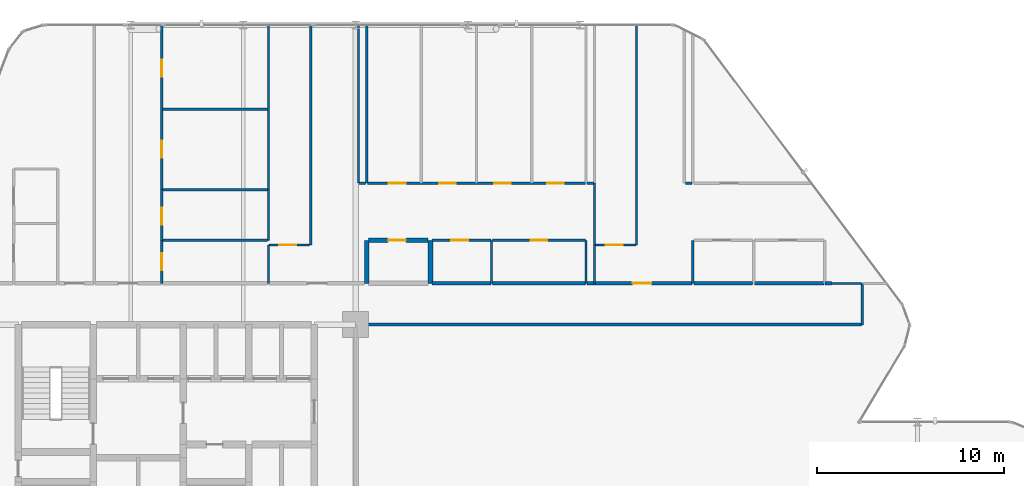
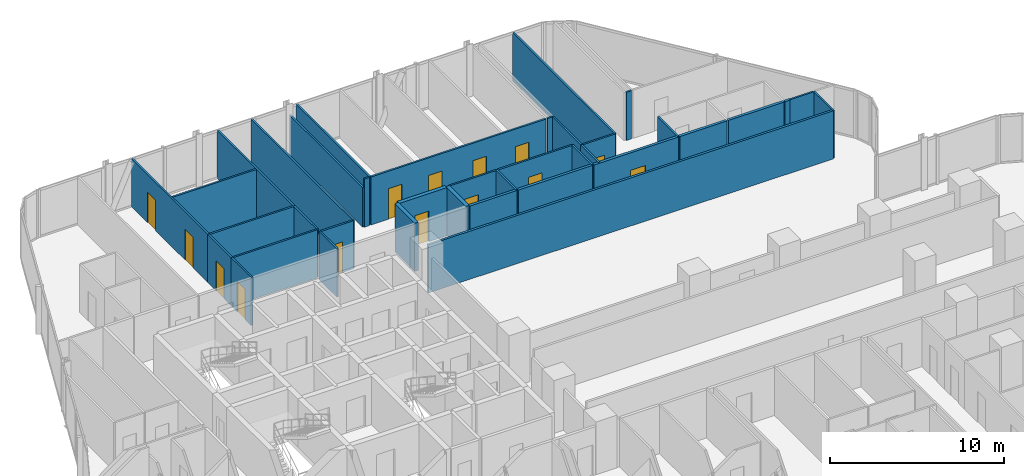
# One storey, part 31 of 34: 38 walls, 14 doors, 14 openings.
"""IFC4 building model written with IfcOpenShell, lengths in metres."""

from ifc_helpers import new_model, si_unit, direction, frame, frame_2d, origin, place, context, subcontext, project, spatial, rectangle, extrude, material, layer, layer_set, type_object, element, fill, save


model = new_model("IFC4")

# Units and contexts
model_context = context("Model", 3, precision=1e-05, world=origin(), true_north=direction((0.0, 1.0)))
body_context = subcontext(model_context, "Body", "Model", "MODEL_VIEW")
ifc_project = project(units=[si_unit("LENGTHUNIT", "METRE"), si_unit("AREAUNIT", "SQUARE_METRE"), si_unit("VOLUMEUNIT", "CUBIC_METRE"), si_unit("PLANEANGLEUNIT", "RADIAN"), si_unit("MASSUNIT", "GRAM", prefix="KILO")], contexts=[model_context])

# Site, building, storey
site_placement = place(None, origin())
site = spatial("IfcSite", under=ifc_project, at=site_placement, CompositionType="ELEMENT")
building_placement = place(site_placement, origin())
building = spatial("IfcBuilding", under=site, at=building_placement, Name="Keshet Zoharim Tower", CompositionType="ELEMENT")
storey_placement = place(building_placement, frame((0.0, 0.0, 31.39990234375)))
storey = spatial("IfcBuildingStorey", under=building, at=storey_placement, Name="L06", CompositionType="ELEMENT", Elevation=31.39990234375)

# Walls
ifc_material_1 = material(Name="Gypsum Plasterboard", Category="gypsum")
ifc_layer_1 = layer(ifc_material_1, 0.14990234375)
ifc_layer_set_1 = layer_set([ifc_layer_1], Name="Gypsum Plasterboard")
wall_type_1 = type_object("IfcWallType", Name="WL-CLIN-150", PredefinedType="STANDARD", material=ifc_layer_set_1)
wall_1_placement = place(storey_placement, frame((33.070068359375, 37.89990234375, 0.0), z_axis=(0.0, 0.0, 1.0), x_axis=(1.0, 0.0, 0.0)))
element("IfcWall", 1, at=wall_1_placement, inside=storey, type_object=wall_type_1, Name="L06 Interior Wall 200", PredefinedType="STANDARD", context=body_context, shape_type="SweptSolid", body=[
    extrude(rectangle(XDim=26.934814453125, YDim=0.14990234375, at=frame_2d((13.46728515625, 0.0))), origin(), (0.0, 0.0, 1.0), 3.385009765625),
])
ifc_layer_2 = layer(ifc_material_1, 0.179931640625)
ifc_layer_set_2 = layer_set([ifc_layer_2], Name="Gypsum Plasterboard")
wall_type_2 = type_object("IfcWallType", Name="WL-CORR-180", PredefinedType="STANDARD", material=ifc_layer_set_2)
wall_2_placement = place(storey_placement, frame((37.092041015625, 40.10009765625, 0.0), z_axis=(0.0, 0.0, 1.0), x_axis=(1.0, 0.0, 0.0)))
element("IfcWall", 2, at=wall_2_placement, inside=storey, type_object=wall_type_2, Name="L06 Interior Wall 210", PredefinedType="STANDARD", context=body_context, shape_type="SweptSolid", body=[
    extrude(rectangle(XDim=3.12890625, YDim=0.179931640625, at=frame_2d((1.564453125, 0.0))), origin(), (0.0, 0.0, 1.0), 3.385009765625),
])
wall_3_placement = place(storey_placement, frame((40.31103515625, 40.10009765625, 0.0), z_axis=(0.0, 0.0, 1.0), x_axis=(1.0, 0.0, 0.0)))
element("IfcWall", 3, at=wall_3_placement, inside=storey, type_object=wall_type_2, Name="L06 Interior Wall 211", PredefinedType="STANDARD", context=body_context, shape_type="SweptSolid", body=[
    extrude(rectangle(XDim=4.953857421875, YDim=0.179931640625, at=frame_2d((2.47705078125, 0.0))), origin(), (0.0, 0.0, 1.0), 3.385009765625),
])

# Wall, opening, door
wall_4_placement = place(storey_placement, frame((45.35498046875, 40.10009765625, 0.0), z_axis=(0.0, 0.0, 1.0), x_axis=(1.0, 0.0, 0.0)))
wall_4 = element("IfcWall", 4, at=wall_4_placement, inside=storey, type_object=wall_type_2, Name="L06 Interior Wall 212", PredefinedType="STANDARD", context=body_context, shape_type="SweptSolid", body=[
    extrude(rectangle(XDim=5.610107421875, YDim=0.179931640625, at=frame_2d((2.80517578125, 0.0))), origin(), (0.0, 0.0, 1.0), 3.385009765625),
])
opening_1_placement = place(wall_4_placement, frame((2.43505859375, 0.0, 0.0)))
opening_1 = element("IfcOpeningElement", 5, at=opening_1_placement, cuts=wall_4, Name="Opening D-F310", PredefinedType="OPENING", context=body_context, shape_type="SweptSolid", body=[
    extrude(rectangle(XDim=1.0, YDim=2.14990234375, at=frame_2d((0.5, 1.074951171875))), frame((0.0, 0.10009765625, 0.0), z_axis=(0.0, -1.0, 0.0), x_axis=(1.0, 0.0, 0.0)), (0.0, 0.0, 1.0), 0.199951171875),
])
ifc_material_2 = material(Name="Hardwood Timber", Category="wood")
door_type_1 = type_object("IfcDoorType", Name="DR-FD30-100", OperationType="NOTDEFINED", PredefinedType="DOOR", material=ifc_material_2)
door_1_placement = place(opening_1_placement, origin())
door_1 = element("IfcDoor", 6, at=door_1_placement, inside=storey, type_object=door_type_1, Name="Apartment 0610 Entrance Door", OperationType="SINGLE_SWING_RIGHT", OverallHeight=2.14990234375, OverallWidth=1.0, PredefinedType="DOOR", context=body_context, shape_type="SweptSolid", body=[
    extrude(rectangle(XDim=1.0, YDim=2.14990234375, at=frame_2d((0.5, 1.074951171875))), frame((0.0, 0.02490234375, 0.0), z_axis=(0.0, -1.0, 0.0), x_axis=(1.0, 0.0, 0.0)), (0.0, 0.0, 1.0), 0.050048828125),
])
fill(opening_1, door_1)

# Walls
wall_5_placement = place(storey_placement, frame((51.054931640625, 40.10009765625, 0.0), z_axis=(0.0, 0.0, 1.0), x_axis=(1.0, 0.0, 0.0)))
element("IfcWall", 7, at=wall_5_placement, inside=storey, type_object=wall_type_2, Name="L06 Interior Wall 213", PredefinedType="STANDARD", context=body_context, shape_type="SweptSolid", body=[
    extrude(rectangle(XDim=3.14306640625, YDim=0.179931640625, at=frame_2d((1.571533203125, 0.0))), origin(), (0.0, 0.0, 1.0), 3.385009765625),
])
wall_6_placement = place(storey_placement, frame((54.2880859375, 40.10009765625, 0.0), z_axis=(0.0, 0.0, 1.0), x_axis=(1.0, 0.0, 0.0)))
element("IfcWall", 8, at=wall_6_placement, inside=storey, type_object=wall_type_2, Name="L06 Interior Wall 214", PredefinedType="STANDARD", context=body_context, shape_type="SweptSolid", body=[
    extrude(rectangle(XDim=3.704833984375, YDim=0.179931640625, at=frame_2d((1.8525390625, 0.0))), origin(), (0.0, 0.0, 1.0), 3.385009765625),
])
wall_7_placement = place(storey_placement, frame((58.050048828125, 40.10009765625, 0.0), z_axis=(0.0, 0.0, 1.0), x_axis=(1.0, 0.0, 0.0)))
element("IfcWall", 9, at=wall_7_placement, inside=storey, type_object=wall_type_2, Name="L06 Interior Wall 215", PredefinedType="STANDARD", context=body_context, shape_type="SweptSolid", body=[
    extrude(rectangle(XDim=0.349853515625, YDim=0.179931640625, at=frame_2d((0.1748046875, 0.0))), origin(), (0.0, 0.0, 1.0), 3.385009765625),
])
ifc_material_3 = material(Name="Concrete C50/60", Category="concrete")
ifc_layer_3 = layer(ifc_material_3, 0.25)
ifc_layer_set_3 = layer_set([ifc_layer_3], Name="Concrete C50/60")
wall_type_3 = type_object("IfcWallType", Name="WL-MAMAD-250", PredefinedType="STANDARD", material=ifc_layer_set_3)
for number, where, z_axis, x_axis, name in (
    (10, (33.60009765625, 40.10009765625, 0.0), (0.0, 0.0, 1.0), (0.0, 1.0, 0.0), "L06 Interior Wall 076"),
    (11, (37.0, 40.10009765625, 0.0), (0.0, 0.0, 1.0), (0.0, 1.0, 0.0), "L06 Interior Wall 083"),
):
    element("IfcWall", number, at=place(storey_placement, frame(where, z_axis=z_axis, x_axis=x_axis)), inside=storey, type_object=wall_type_3, Name=name, PredefinedType="STANDARD", context=body_context, shape_type="SweptSolid", body=[
        extrude(rectangle(XDim=2.2998046875, YDim=0.25, at=frame_2d((1.14990234375, 0.0))), origin(), (0.0, 0.0, 1.0), 3.385009765625),
    ])

# Wall, opening, door
wall_8_placement = place(storey_placement, frame((33.68994140625, 42.39990234375, 0.0), z_axis=(0.0, 0.0, 1.0), x_axis=(1.0, 0.0, 0.0)))
wall_8 = element("IfcWall", 12, at=wall_8_placement, inside=storey, type_object=wall_type_3, Name="L06 Interior Wall 221", PredefinedType="STANDARD", context=body_context, shape_type="SweptSolid", body=[
    extrude(rectangle(XDim=3.18212890625, YDim=0.25, at=frame_2d((1.591064453125, 0.0))), origin(), (0.0, 0.0, 1.0), 3.385009765625),
])
opening_2_placement = place(wall_8_placement, frame((1.0419921875, 0.0, 0.0)))
opening_2 = element("IfcOpeningElement", 13, at=opening_2_placement, cuts=wall_8, Name="Opening D-F695", PredefinedType="OPENING", context=body_context, shape_type="SweptSolid", body=[
    extrude(rectangle(XDim=0.949951171875, YDim=2.14990234375, at=frame_2d((0.47509765625, 1.074951171875))), frame((0.0, 0.135009765625, 0.0), z_axis=(0.0, -1.0, 0.0), x_axis=(1.0, 0.0, 0.0)), (0.0, 0.0, 1.0), 0.27001953125),
])
door_type_2 = type_object("IfcDoorType", Name="DR-FD60-095", OperationType="NOTDEFINED", PredefinedType="DOOR", material=ifc_material_2)
door_2_placement = place(opening_2_placement, origin())
door_2 = element("IfcDoor", 14, at=door_2_placement, inside=storey, type_object=door_type_2, Name="Apartment 0609 Study and Shelter Room Door", OperationType="SINGLE_SWING_LEFT", OverallHeight=2.14990234375, OverallWidth=0.949951171875, PredefinedType="DOOR", context=body_context, shape_type="SweptSolid", body=[
    extrude(rectangle(XDim=0.949951171875, YDim=2.14990234375, at=frame_2d((0.47509765625, 1.074951171875))), frame((0.0, 0.02490234375, 0.0), z_axis=(0.0, -1.0, 0.0), x_axis=(1.0, 0.0, 0.0)), (0.0, 0.0, 1.0), 0.050048828125),
])
fill(opening_2, door_2)

ifc_layer_4 = layer(ifc_material_1, 0.1201171875)
ifc_layer_set_4 = layer_set([ifc_layer_4], Name="Gypsum Plasterboard")
wall_type_4 = type_object("IfcWallType", Name="WL-PART-120", PredefinedType="PARTITIONING", material=ifc_layer_set_4)
wall_9_placement = place(storey_placement, frame((22.64990234375, 40.10009765625, 0.0), z_axis=(0.0, 0.0, 1.0), x_axis=(0.0, 1.0, 0.0)))
wall_9 = element("IfcWall", 15, at=wall_9_placement, inside=storey, type_object=wall_type_4, Name="L06 Interior Wall 034", PredefinedType="PARTITIONING", context=body_context, shape_type="SweptSolid", body=[
    extrude(rectangle(XDim=2.2998046875, YDim=0.1201171875, at=frame_2d((1.14990234375, 0.0))), origin(), (0.0, 0.0, 1.0), 3.385009765625),
])
opening_3_placement = place(wall_9_placement, frame((0.699951171875, 0.0, 0.0)))
opening_3 = element("IfcOpeningElement", 16, at=opening_3_placement, cuts=wall_9, Name="Opening D-IN90", PredefinedType="OPENING", context=body_context, shape_type="SweptSolid", body=[
    extrude(rectangle(XDim=0.89990234375, YDim=2.14990234375, at=frame_2d((0.449951171875, 1.074951171875))), frame((0.0, 0.070068359375, 0.0), z_axis=(0.0, -1.0, 0.0), x_axis=(1.0, 0.0, 0.0)), (0.0, 0.0, 1.0), 0.14013671875),
])
door_type_3 = type_object("IfcDoorType", Name="DR-INT-090", OperationType="NOTDEFINED", PredefinedType="DOOR", material=ifc_material_2)
door_3_placement = place(opening_3_placement, origin())
door_3 = element("IfcDoor", 17, at=door_3_placement, inside=storey, type_object=door_type_3, Name="Apartment 0608 Kitchen Door", OperationType="SINGLE_SWING_LEFT", OverallHeight=2.14990234375, OverallWidth=0.89990234375, PredefinedType="DOOR", context=body_context, shape_type="SweptSolid", body=[
    extrude(rectangle(XDim=0.89990234375, YDim=2.14990234375, at=frame_2d((0.449951171875, 1.074951171875))), frame((0.0, 0.02490234375, 0.0), z_axis=(0.0, -1.0, 0.0), x_axis=(1.0, 0.0, 0.0)), (0.0, 0.0, 1.0), 0.050048828125),
])
fill(opening_3, door_3)

# Wall, openings, doors
wall_10_placement = place(storey_placement, frame((22.64990234375, 45.10009765625, 0.0), z_axis=(0.0, 0.0, 1.0), x_axis=(0.0, 1.0, 0.0)))
wall_10 = element("IfcWall", 18, at=wall_10_placement, inside=storey, type_object=wall_type_4, Name="L06 Interior Wall 036", PredefinedType="PARTITIONING", context=body_context, shape_type="SweptSolid", body=[
    extrude(rectangle(XDim=8.789794921875, YDim=0.1201171875, at=frame_2d((4.39501953125, 0.0))), origin(), (0.0, 0.0, 1.0), 3.385009765625),
])
opening_4_placement = place(wall_10_placement, frame((1.7119140625, 0.0, 0.0)))
opening_4 = element("IfcOpeningElement", 19, at=opening_4_placement, cuts=wall_10, Name="Opening D-IN90", PredefinedType="OPENING", context=body_context, shape_type="SweptSolid", body=[
    extrude(rectangle(XDim=0.89990234375, YDim=2.14990234375, at=frame_2d((0.449951171875, 1.074951171875))), frame((0.0, 0.070068359375, 0.0), z_axis=(0.0, -1.0, 0.0), x_axis=(1.0, 0.0, 0.0)), (0.0, 0.0, 1.0), 0.14013671875),
])
opening_5_placement = place(wall_10_placement, frame((6.030029296875, 0.0, 0.0)))
opening_5 = element("IfcOpeningElement", 20, at=opening_5_placement, cuts=wall_10, Name="Opening D-IN90", PredefinedType="OPENING", context=body_context, shape_type="SweptSolid", body=[
    extrude(rectangle(XDim=0.89990234375, YDim=2.14990234375, at=frame_2d((0.449951171875, 1.074951171875))), frame((0.0, 0.070068359375, 0.0), z_axis=(0.0, -1.0, 0.0), x_axis=(1.0, 0.0, 0.0)), (0.0, 0.0, 1.0), 0.14013671875),
])
door_4_placement = place(opening_4_placement, origin())
door_4 = element("IfcDoor", 21, at=door_4_placement, inside=storey, type_object=door_type_3, Name="Apartment 0608 Bedroom 1 Door", OperationType="SINGLE_SWING_LEFT", OverallHeight=2.14990234375, OverallWidth=0.89990234375, PredefinedType="DOOR", context=body_context, shape_type="SweptSolid", body=[
    extrude(rectangle(XDim=0.89990234375, YDim=2.14990234375, at=frame_2d((0.449951171875, 1.074951171875))), frame((0.0, 0.02490234375, 0.0), z_axis=(0.0, -1.0, 0.0), x_axis=(1.0, 0.0, 0.0)), (0.0, 0.0, 1.0), 0.050048828125),
])
fill(opening_4, door_4)
door_5_placement = place(opening_5_placement, origin())
door_5 = element("IfcDoor", 22, at=door_5_placement, inside=storey, type_object=door_type_3, Name="Apartment 0608 Bedroom 2 Door", OperationType="SINGLE_SWING_RIGHT", OverallHeight=2.14990234375, OverallWidth=0.89990234375, PredefinedType="DOOR", context=body_context, shape_type="SweptSolid", body=[
    extrude(rectangle(XDim=0.89990234375, YDim=2.14990234375, at=frame_2d((0.449951171875, 1.074951171875))), frame((0.0, 0.02490234375, 0.0), z_axis=(0.0, -1.0, 0.0), x_axis=(1.0, 0.0, 0.0)), (0.0, 0.0, 1.0), 0.050048828125),
])
fill(opening_5, door_5)

# Walls
wall_11_placement = place(storey_placement, frame((28.35009765625, 40.10009765625, 0.0), z_axis=(0.0, 0.0, 1.0), x_axis=(0.0, 1.0, 0.0)))
element("IfcWall", 23, at=wall_11_placement, inside=storey, type_object=wall_type_4, Name="L06 Interior Wall 056", PredefinedType="PARTITIONING", context=body_context, shape_type="SweptSolid", body=[
    extrude(rectangle(XDim=2.0498046875, YDim=0.1201171875, at=frame_2d((1.02490234375, 0.0))), origin(), (0.0, 0.0, 1.0), 3.385009765625),
])
wall_12_placement = place(storey_placement, frame((28.35009765625, 45.10009765625, 0.0), z_axis=(0.0, 0.0, 1.0), x_axis=(0.0, 1.0, 0.0)))
element("IfcWall", 24, at=wall_12_placement, inside=storey, type_object=wall_type_4, Name="L06 Interior Wall 058", PredefinedType="PARTITIONING", context=body_context, shape_type="SweptSolid", body=[
    extrude(rectangle(XDim=8.789794921875, YDim=0.1201171875, at=frame_2d((4.39501953125, 0.0))), origin(), (0.0, 0.0, 1.0), 3.385009765625),
])
wall_13_placement = place(storey_placement, frame((30.60009765625, 42.14990234375, 0.0), z_axis=(0.0, 0.0, 1.0), x_axis=(0.0, 1.0, 0.0)))
element("IfcWall", 25, at=wall_13_placement, inside=storey, type_object=wall_type_4, Name="L06 Interior Wall 065", PredefinedType="PARTITIONING", context=body_context, shape_type="SweptSolid", body=[
    extrude(rectangle(XDim=11.739990234375, YDim=0.1201171875, at=frame_2d((5.8701171875, 0.0))), origin(), (0.0, 0.0, 1.0), 3.385009765625),
])
wall_14_placement = place(storey_placement, frame((33.14990234375, 45.449951171875, 0.0), z_axis=(0.0, 0.0, 1.0), x_axis=(0.0, 1.0, 0.0)))
element("IfcWall", 26, at=wall_14_placement, inside=storey, type_object=wall_type_4, Name="L06 Interior Wall 074", PredefinedType="PARTITIONING", context=body_context, shape_type="SweptSolid", body=[
    extrude(rectangle(XDim=8.43994140625, YDim=0.1201171875, at=frame_2d((4.219970703125, 0.0))), origin(), (0.0, 0.0, 1.0), 2.78515625),
])
wall_15_placement = place(storey_placement, frame((33.60009765625, 45.449951171875, 0.0), z_axis=(0.0, 0.0, 1.0), x_axis=(0.0, 1.0, 0.0)))
element("IfcWall", 27, at=wall_15_placement, inside=storey, type_object=wall_type_4, Name="L06 Interior Wall 077", PredefinedType="PARTITIONING", context=body_context, shape_type="SweptSolid", body=[
    extrude(rectangle(XDim=8.43994140625, YDim=0.1201171875, at=frame_2d((4.219970703125, 0.0))), origin(), (0.0, 0.0, 1.0), 3.385009765625),
])
wall_16_placement = place(storey_placement, frame((45.300048828125, 40.10009765625, 0.0), z_axis=(0.0, 0.0, 1.0), x_axis=(0.0, 1.0, 0.0)))
element("IfcWall", 28, at=wall_16_placement, inside=storey, type_object=wall_type_4, Name="L06 Interior Wall 093", PredefinedType="PARTITIONING", context=body_context, shape_type="SweptSolid", body=[
    extrude(rectangle(XDim=2.2998046875, YDim=0.1201171875, at=frame_2d((1.14990234375, 0.0))), origin(), (0.0, 0.0, 1.0), 3.385009765625),
])
wall_17_placement = place(storey_placement, frame((45.75, 40.10009765625, 0.0), z_axis=(0.0, 0.0, 1.0), x_axis=(0.0, 1.0, 0.0)))
element("IfcWall", 29, at=wall_17_placement, inside=storey, type_object=wall_type_4, Name="L06 Interior Wall 095", PredefinedType="PARTITIONING", context=body_context, shape_type="SweptSolid", body=[
    extrude(rectangle(XDim=2.0498046875, YDim=0.1201171875, at=frame_2d((1.02490234375, 0.0))), origin(), (0.0, 0.0, 1.0), 3.385009765625),
])
wall_18_placement = place(storey_placement, frame((45.75, 42.14990234375, 0.0), z_axis=(0.0, 0.0, 1.0), x_axis=(0.0, 1.0, 0.0)))
element("IfcWall", 30, at=wall_18_placement, inside=storey, type_object=wall_type_4, Name="L06 Interior Wall 096", PredefinedType="PARTITIONING", context=body_context, shape_type="SweptSolid", body=[
    extrude(rectangle(XDim=3.300048828125, YDim=0.1201171875, at=frame_2d((1.64990234375, 0.0))), origin(), (0.0, 0.0, 1.0), 3.385009765625),
])
wall_19_placement = place(storey_placement, frame((48.0, 42.14990234375, 0.0), z_axis=(0.0, 0.0, 1.0), x_axis=(0.0, 1.0, 0.0)))
element("IfcWall", 31, at=wall_19_placement, inside=storey, type_object=wall_type_4, Name="L06 Interior Wall 100", PredefinedType="PARTITIONING", context=body_context, shape_type="SweptSolid", body=[
    extrude(rectangle(XDim=11.739990234375, YDim=0.1201171875, at=frame_2d((5.8701171875, 0.0))), origin(), (0.0, 0.0, 1.0), 3.385009765625),
])
wall_20_placement = place(storey_placement, frame((51.0, 40.10009765625, 0.0), z_axis=(0.0, 0.0, 1.0), x_axis=(0.0, 1.0, 0.0)))
element("IfcWall", 32, at=wall_20_placement, inside=storey, type_object=wall_type_4, Name="L06 Interior Wall 105", PredefinedType="PARTITIONING", context=body_context, shape_type="SweptSolid", body=[
    extrude(rectangle(XDim=2.2998046875, YDim=0.1201171875, at=frame_2d((1.14990234375, 0.0))), origin(), (0.0, 0.0, 1.0), 3.385009765625),
])
wall_21_placement = place(storey_placement, frame((60.050048828125, 37.889892578125, 0.0), z_axis=(0.0, 0.0, 1.0), x_axis=(0.0, 1.0, 0.0)))
element("IfcWall", 33, at=wall_21_placement, inside=storey, type_object=wall_type_4, Name="L06 Interior Wall 112", PredefinedType="PARTITIONING", context=body_context, shape_type="SweptSolid", body=[
    extrude(rectangle(XDim=2.2001953125, YDim=0.1201171875, at=frame_2d((1.10009765625, 0.0))), origin(), (0.0, 0.0, 1.0), 3.385009765625),
])
wall_22_placement = place(storey_placement, frame((58.39990234375, 40.10009765625, 0.0), z_axis=(0.0, 0.0, 1.0), x_axis=(1.0, 0.0, 0.0)))
element("IfcWall", 34, at=wall_22_placement, inside=storey, type_object=wall_type_4, Name="L06 Interior Wall 216", PredefinedType="PARTITIONING", context=body_context, shape_type="SweptSolid", body=[
    extrude(rectangle(XDim=1.60498046875, YDim=0.1201171875, at=frame_2d((0.802490234375, 0.0))), origin(), (0.0, 0.0, 1.0), 3.385009765625),
])

# Wall, opening, door
wall_23_placement = place(storey_placement, frame((28.375, 42.14990234375, 0.0), z_axis=(0.0, 0.0, 1.0), x_axis=(1.0, 0.0, 0.0)))
wall_23 = element("IfcWall", 35, at=wall_23_placement, inside=storey, type_object=wall_type_4, Name="L06 Interior Wall 218", PredefinedType="PARTITIONING", context=body_context, shape_type="SweptSolid", body=[
    extrude(rectangle(XDim=2.159912109375, YDim=0.1201171875, at=frame_2d((1.080078125, 0.0))), origin(), (0.0, 0.0, 1.0), 3.385009765625),
])
opening_6_placement = place(wall_23_placement, frame((0.552978515625, 0.0, 0.0)))
opening_6 = element("IfcOpeningElement", 36, at=opening_6_placement, cuts=wall_23, Name="Opening D-IN90", PredefinedType="OPENING", context=body_context, shape_type="SweptSolid", body=[
    extrude(rectangle(XDim=0.89990234375, YDim=2.14990234375, at=frame_2d((0.449951171875, 1.074951171875))), frame((0.0, 0.070068359375, 0.0), z_axis=(0.0, -1.0, 0.0), x_axis=(1.0, 0.0, 0.0)), (0.0, 0.0, 1.0), 0.14013671875),
])
door_6_placement = place(opening_6_placement, origin())
door_6 = element("IfcDoor", 37, at=door_6_placement, inside=storey, type_object=door_type_3, Name="Apartment 0609 Formal Dining Room Door", OperationType="SINGLE_SWING_LEFT", OverallHeight=2.14990234375, OverallWidth=0.89990234375, PredefinedType="DOOR", context=body_context, shape_type="SweptSolid", body=[
    extrude(rectangle(XDim=0.89990234375, YDim=2.14990234375, at=frame_2d((0.449951171875, 1.074951171875))), frame((0.0, 0.02490234375, 0.0), z_axis=(0.0, -1.0, 0.0), x_axis=(1.0, 0.0, 0.0)), (0.0, 0.0, 1.0), 0.050048828125),
])
fill(opening_6, door_6)

wall_24_placement = place(storey_placement, frame((45.804931640625, 42.14990234375, 0.0), z_axis=(0.0, 0.0, 1.0), x_axis=(1.0, 0.0, 0.0)))
wall_24 = element("IfcWall", 38, at=wall_24_placement, inside=storey, type_object=wall_type_4, Name="L06 Interior Wall 219", PredefinedType="PARTITIONING", context=body_context, shape_type="SweptSolid", body=[
    extrude(rectangle(XDim=2.16015625, YDim=0.1201171875, at=frame_2d((1.080078125, 0.0))), origin(), (0.0, 0.0, 1.0), 3.385009765625),
])
opening_7_placement = place(wall_24_placement, frame((0.552978515625, 0.0, 0.0)))
opening_7 = element("IfcOpeningElement", 39, at=opening_7_placement, cuts=wall_24, Name="Opening D-IN90", PredefinedType="OPENING", context=body_context, shape_type="SweptSolid", body=[
    extrude(rectangle(XDim=0.89990234375, YDim=2.14990234375, at=frame_2d((0.449951171875, 1.074951171875))), frame((0.0, 0.070068359375, 0.0), z_axis=(0.0, -1.0, 0.0), x_axis=(1.0, 0.0, 0.0)), (0.0, 0.0, 1.0), 0.14013671875),
])
door_7_placement = place(opening_7_placement, origin())
door_7 = element("IfcDoor", 40, at=door_7_placement, inside=storey, type_object=door_type_3, Name="Apartment 0610 Formal Dining Room Door", OperationType="SINGLE_SWING_RIGHT", OverallHeight=2.14990234375, OverallWidth=0.89990234375, PredefinedType="DOOR", context=body_context, shape_type="SweptSolid", body=[
    extrude(rectangle(XDim=0.89990234375, YDim=2.14990234375, at=frame_2d((0.449951171875, 1.074951171875))), frame((0.0, 0.02490234375, 0.0), z_axis=(0.0, -1.0, 0.0), x_axis=(1.0, 0.0, 0.0)), (0.0, 0.0, 1.0), 0.050048828125),
])
fill(opening_7, door_7)

wall_25_placement = place(storey_placement, frame((40.31103515625, 42.39990234375, 0.0), z_axis=(0.0, 0.0, 1.0), x_axis=(1.0, 0.0, 0.0)))
wall_25 = element("IfcWall", 41, at=wall_25_placement, inside=storey, type_object=wall_type_4, Name="L06 Interior Wall 223", PredefinedType="PARTITIONING", context=body_context, shape_type="SweptSolid", body=[
    extrude(rectangle(XDim=4.953857421875, YDim=0.1201171875, at=frame_2d((2.47705078125, 0.0))), origin(), (0.0, 0.0, 1.0), 3.385009765625),
])
opening_8_placement = place(wall_25_placement, frame((2.027099609375, 0.0, 0.0)))
opening_8 = element("IfcOpeningElement", 42, at=opening_8_placement, cuts=wall_25, Name="Opening D-IN90", PredefinedType="OPENING", context=body_context, shape_type="SweptSolid", body=[
    extrude(rectangle(XDim=0.89990234375, YDim=2.14990234375, at=frame_2d((0.449951171875, 1.074951171875))), frame((0.0, 0.070068359375, 0.0), z_axis=(0.0, -1.0, 0.0), x_axis=(1.0, 0.0, 0.0)), (0.0, 0.0, 1.0), 0.14013671875),
])
door_8_placement = place(opening_8_placement, origin())
door_8 = element("IfcDoor", 43, at=door_8_placement, inside=storey, type_object=door_type_3, Name="Apartment 0609 Kitchen Door", OperationType="SINGLE_SWING_LEFT", OverallHeight=2.14990234375, OverallWidth=0.89990234375, PredefinedType="DOOR", context=body_context, shape_type="SweptSolid", body=[
    extrude(rectangle(XDim=0.89990234375, YDim=2.14990234375, at=frame_2d((0.449951171875, 1.074951171875))), frame((0.0, 0.02490234375, 0.0), z_axis=(0.0, -1.0, 0.0), x_axis=(1.0, 0.0, 0.0)), (0.0, 0.0, 1.0), 0.050048828125),
])
fill(opening_8, door_8)

# Wall
wall_26_placement = place(storey_placement, frame((33.175048828125, 45.449951171875, 0.0), z_axis=(0.0, 0.0, 1.0), x_axis=(1.0, 0.0, 0.0)))
element("IfcWall", 44, at=wall_26_placement, inside=storey, type_object=wall_type_4, Name="L06 Interior Wall 228", PredefinedType="PARTITIONING", context=body_context, shape_type="SweptSolid", body=[
    extrude(rectangle(XDim=0.35986328125, YDim=0.1201171875, at=frame_2d((0.179931640625, 0.0))), origin(), (0.0, 0.0, 1.0), 3.385009765625),
])

# Wall, openings, doors
wall_27_placement = place(storey_placement, frame((33.625, 45.449951171875, 0.0), z_axis=(0.0, 0.0, 1.0), x_axis=(1.0, 0.0, 0.0)))
wall_27 = element("IfcWall", 45, at=wall_27_placement, inside=storey, type_object=wall_type_4, Name="L06 Interior Wall 229", PredefinedType="PARTITIONING", context=body_context, shape_type="SweptSolid", body=[
    extrude(rectangle(XDim=11.639892578125, YDim=0.1201171875, at=frame_2d((5.81982421875, 0.0))), origin(), (0.0, 0.0, 1.0), 3.385009765625),
])
opening_9_placement = place(wall_27_placement, frame((1.14599609375, 0.0, 0.0)))
opening_9 = element("IfcOpeningElement", 46, at=opening_9_placement, cuts=wall_27, Name="Opening D-IN90", PredefinedType="OPENING", context=body_context, shape_type="SweptSolid", body=[
    extrude(rectangle(XDim=0.89990234375, YDim=2.14990234375, at=frame_2d((0.449951171875, 1.074951171875))), frame((0.0, 0.070068359375, 0.0), z_axis=(0.0, -1.0, 0.0), x_axis=(1.0, 0.0, 0.0)), (0.0, 0.0, 1.0), 0.14013671875),
])
opening_10_placement = place(wall_27_placement, frame((3.833984375, 0.0, 0.0)))
opening_10 = element("IfcOpeningElement", 47, at=opening_10_placement, cuts=wall_27, Name="Opening D-IN90", PredefinedType="OPENING", context=body_context, shape_type="SweptSolid", body=[
    extrude(rectangle(XDim=0.89990234375, YDim=2.14990234375, at=frame_2d((0.449951171875, 1.074951171875))), frame((0.0, 0.070068359375, 0.0), z_axis=(0.0, -1.0, 0.0), x_axis=(1.0, 0.0, 0.0)), (0.0, 0.0, 1.0), 0.14013671875),
])
opening_11_placement = place(wall_27_placement, frame((6.76611328125, 0.0, 0.0)))
opening_11 = element("IfcOpeningElement", 48, at=opening_11_placement, cuts=wall_27, Name="Opening D-IN90", PredefinedType="OPENING", context=body_context, shape_type="SweptSolid", body=[
    extrude(rectangle(XDim=0.89990234375, YDim=2.14990234375, at=frame_2d((0.449951171875, 1.074951171875))), frame((0.0, 0.070068359375, 0.0), z_axis=(0.0, -1.0, 0.0), x_axis=(1.0, 0.0, 0.0)), (0.0, 0.0, 1.0), 0.14013671875),
])
opening_12_placement = place(wall_27_placement, frame((9.593994140625, 0.0, 0.0)))
opening_12 = element("IfcOpeningElement", 49, at=opening_12_placement, cuts=wall_27, Name="Opening D-IN90", PredefinedType="OPENING", context=body_context, shape_type="SweptSolid", body=[
    extrude(rectangle(XDim=0.89990234375, YDim=2.14990234375, at=frame_2d((0.449951171875, 1.074951171875))), frame((0.0, 0.070068359375, 0.0), z_axis=(0.0, -1.0, 0.0), x_axis=(1.0, 0.0, 0.0)), (0.0, 0.0, 1.0), 0.14013671875),
])
door_9_placement = place(opening_9_placement, origin())
door_9 = element("IfcDoor", 50, at=door_9_placement, inside=storey, type_object=door_type_3, Name="Apartment 0609 Bedroom 1 Door", OperationType="SINGLE_SWING_RIGHT", OverallHeight=2.14990234375, OverallWidth=0.89990234375, PredefinedType="DOOR", context=body_context, shape_type="SweptSolid", body=[
    extrude(rectangle(XDim=0.89990234375, YDim=2.14990234375, at=frame_2d((0.449951171875, 1.074951171875))), frame((0.0, 0.02490234375, 0.0), z_axis=(0.0, -1.0, 0.0), x_axis=(1.0, 0.0, 0.0)), (0.0, 0.0, 1.0), 0.050048828125),
])
fill(opening_9, door_9)
door_10_placement = place(opening_10_placement, origin())
door_10 = element("IfcDoor", 51, at=door_10_placement, inside=storey, type_object=door_type_3, Name="Apartment 0609 Bedroom 2 Door", OperationType="SINGLE_SWING_LEFT", OverallHeight=2.14990234375, OverallWidth=0.89990234375, PredefinedType="DOOR", context=body_context, shape_type="SweptSolid", body=[
    extrude(rectangle(XDim=0.89990234375, YDim=2.14990234375, at=frame_2d((0.449951171875, 1.074951171875))), frame((0.0, 0.02490234375, 0.0), z_axis=(0.0, -1.0, 0.0), x_axis=(1.0, 0.0, 0.0)), (0.0, 0.0, 1.0), 0.050048828125),
])
fill(opening_10, door_10)
door_11_placement = place(opening_11_placement, origin())
door_11 = element("IfcDoor", 52, at=door_11_placement, inside=storey, type_object=door_type_3, Name="Apartment 0609 Bedroom 3 Door", OperationType="SINGLE_SWING_RIGHT", OverallHeight=2.14990234375, OverallWidth=0.89990234375, PredefinedType="DOOR", context=body_context, shape_type="SweptSolid", body=[
    extrude(rectangle(XDim=0.89990234375, YDim=2.14990234375, at=frame_2d((0.449951171875, 1.074951171875))), frame((0.0, 0.02490234375, 0.0), z_axis=(0.0, -1.0, 0.0), x_axis=(1.0, 0.0, 0.0)), (0.0, 0.0, 1.0), 0.050048828125),
])
fill(opening_11, door_11)
door_12_placement = place(opening_12_placement, origin())
door_12 = element("IfcDoor", 53, at=door_12_placement, inside=storey, type_object=door_type_3, Name="Apartment 0609 Bedroom 4 Door", OperationType="SINGLE_SWING_LEFT", OverallHeight=2.14990234375, OverallWidth=0.89990234375, PredefinedType="DOOR", context=body_context, shape_type="SweptSolid", body=[
    extrude(rectangle(XDim=0.89990234375, YDim=2.14990234375, at=frame_2d((0.449951171875, 1.074951171875))), frame((0.0, 0.02490234375, 0.0), z_axis=(0.0, -1.0, 0.0), x_axis=(1.0, 0.0, 0.0)), (0.0, 0.0, 1.0), 0.050048828125),
])
fill(opening_12, door_12)

# Walls
for number, where, z_axis, x_axis, name in (
    (54, (45.35498046875, 45.449951171875, 0.0), (0.0, 0.0, 1.0), (1.0, 0.0, 0.0), "L06 Interior Wall 230"),
    (55, (50.60498046875, 45.449951171875, 0.0), (0.0, 0.0, 1.0), (1.0, 0.0, 0.0), "L06 Interior Wall 231"),
):
    element("IfcWall", number, at=place(storey_placement, frame(where, z_axis=z_axis, x_axis=x_axis)), inside=storey, type_object=wall_type_4, Name=name, PredefinedType="PARTITIONING", context=body_context, shape_type="SweptSolid", body=[
        extrude(rectangle(XDim=0.360107421875, YDim=0.1201171875, at=frame_2d((0.18017578125, 0.0))), origin(), (0.0, 0.0, 1.0), 3.385009765625),
    ])
wall_28_placement = place(storey_placement, frame((22.695068359375, 49.39990234375, 0.0), z_axis=(0.0, 0.0, 1.0), x_axis=(1.0, 0.0, 0.0)))
element("IfcWall", 56, at=wall_28_placement, inside=storey, type_object=wall_type_4, Name="L06 Interior Wall 234", PredefinedType="PARTITIONING", context=body_context, shape_type="SweptSolid", body=[
    extrude(rectangle(XDim=5.58984375, YDim=0.1201171875, at=frame_2d((2.794921875, 0.0))), origin(), (0.0, 0.0, 1.0), 3.385009765625),
])

# Wall, opening, door
ifc_layer_5 = layer(ifc_material_1, 0.1201171875)
ifc_layer_set_5 = layer_set([ifc_layer_5], Name="Gypsum Plasterboard")
wall_type_5 = type_object("IfcWallType", Name="WL-WET-120", PredefinedType="PARTITIONING", material=ifc_layer_set_5)
wall_29_placement = place(storey_placement, frame((22.64990234375, 42.39990234375, 0.0), z_axis=(0.0, 0.0, 1.0), x_axis=(0.0, 1.0, 0.0)))
wall_29 = element("IfcWall", 57, at=wall_29_placement, inside=storey, type_object=wall_type_5, Name="L06 Interior Wall 035", PredefinedType="PARTITIONING", context=body_context, shape_type="SweptSolid", body=[
    extrude(rectangle(XDim=2.7001953125, YDim=0.1201171875, at=frame_2d((1.35009765625, 0.0))), origin(), (0.0, 0.0, 1.0), 3.385009765625),
])
opening_13_placement = place(wall_29_placement, frame((0.827880859375, 0.0, 0.0)))
opening_13 = element("IfcOpeningElement", 58, at=opening_13_placement, cuts=wall_29, Name="Opening D-WT90", PredefinedType="OPENING", context=body_context, shape_type="SweptSolid", body=[
    extrude(rectangle(XDim=0.89990234375, YDim=2.10009765625, at=frame_2d((0.449951171875, 1.050048828125))), frame((0.0, 0.070068359375, 0.0), z_axis=(0.0, -1.0, 0.0), x_axis=(1.0, 0.0, 0.0)), (0.0, 0.0, 1.0), 0.14013671875),
])
door_type_4 = type_object("IfcDoorType", Name="DR-WET-090", OperationType="NOTDEFINED", PredefinedType="DOOR", material=ifc_material_2)
door_13_placement = place(opening_13_placement, origin())
door_13 = element("IfcDoor", 59, at=door_13_placement, inside=storey, type_object=door_type_4, Name="Apartment 0608 Bathroom Door", OperationType="SINGLE_SWING_RIGHT", OverallHeight=2.10009765625, OverallWidth=0.89990234375, PredefinedType="DOOR", context=body_context, shape_type="SweptSolid", body=[
    extrude(rectangle(XDim=0.89990234375, YDim=2.10009765625, at=frame_2d((0.449951171875, 1.050048828125))), frame((0.0, 0.02490234375, 0.0), z_axis=(0.0, -1.0, 0.0), x_axis=(1.0, 0.0, 0.0)), (0.0, 0.0, 1.0), 0.050048828125),
])
fill(opening_13, door_13)

# Walls
wall_30_placement = place(storey_placement, frame((28.35009765625, 42.39990234375, 0.0), z_axis=(0.0, 0.0, 1.0), x_axis=(0.0, 1.0, 0.0)))
element("IfcWall", 60, at=wall_30_placement, inside=storey, type_object=wall_type_5, Name="L06 Interior Wall 057", PredefinedType="PARTITIONING", context=body_context, shape_type="SweptSolid", body=[
    extrude(rectangle(XDim=2.7001953125, YDim=0.1201171875, at=frame_2d((1.35009765625, 0.0))), origin(), (0.0, 0.0, 1.0), 3.385009765625),
])
wall_31_placement = place(storey_placement, frame((40.25, 40.10009765625, 0.0), z_axis=(0.0, 0.0, 1.0), x_axis=(0.0, 1.0, 0.0)))
element("IfcWall", 61, at=wall_31_placement, inside=storey, type_object=wall_type_5, Name="L06 Interior Wall 088", PredefinedType="PARTITIONING", context=body_context, shape_type="SweptSolid", body=[
    extrude(rectangle(XDim=2.2998046875, YDim=0.1201171875, at=frame_2d((1.14990234375, 0.0))), origin(), (0.0, 0.0, 1.0), 3.385009765625),
])
wall_32_placement = place(storey_placement, frame((22.695068359375, 42.39990234375, 0.0), z_axis=(0.0, 0.0, 1.0), x_axis=(1.0, 0.0, 0.0)))
element("IfcWall", 62, at=wall_32_placement, inside=storey, type_object=wall_type_5, Name="L06 Interior Wall 220", PredefinedType="PARTITIONING", context=body_context, shape_type="SweptSolid", body=[
    extrude(rectangle(XDim=5.58984375, YDim=0.1201171875, at=frame_2d((2.794921875, 0.0))), origin(), (0.0, 0.0, 1.0), 3.385009765625),
])

# Wall, opening, door
wall_33_placement = place(storey_placement, frame((37.092041015625, 42.39990234375, 0.0), z_axis=(0.0, 0.0, 1.0), x_axis=(1.0, 0.0, 0.0)))
wall_33 = element("IfcWall", 63, at=wall_33_placement, inside=storey, type_object=wall_type_5, Name="L06 Interior Wall 222", PredefinedType="PARTITIONING", context=body_context, shape_type="SweptSolid", body=[
    extrude(rectangle(XDim=3.12890625, YDim=0.1201171875, at=frame_2d((1.564453125, 0.0))), origin(), (0.0, 0.0, 1.0), 3.385009765625),
])
opening_14_placement = place(wall_33_placement, frame((1.010009765625, 0.0, 0.0)))
opening_14 = element("IfcOpeningElement", 64, at=opening_14_placement, cuts=wall_33, Name="Opening D-WT90", PredefinedType="OPENING", context=body_context, shape_type="SweptSolid", body=[
    extrude(rectangle(XDim=0.89990234375, YDim=2.10009765625, at=frame_2d((0.449951171875, 1.050048828125))), frame((0.0, 0.070068359375, 0.0), z_axis=(0.0, -1.0, 0.0), x_axis=(1.0, 0.0, 0.0)), (0.0, 0.0, 1.0), 0.14013671875),
])
door_14_placement = place(opening_14_placement, origin())
door_14 = element("IfcDoor", 65, at=door_14_placement, inside=storey, type_object=door_type_4, Name="Apartment 0609 Bathroom Door", OperationType="SINGLE_SWING_RIGHT", OverallHeight=2.10009765625, OverallWidth=0.89990234375, PredefinedType="DOOR", context=body_context, shape_type="SweptSolid", body=[
    extrude(rectangle(XDim=0.89990234375, YDim=2.10009765625, at=frame_2d((0.449951171875, 1.050048828125))), frame((0.0, 0.02490234375, 0.0), z_axis=(0.0, -1.0, 0.0), x_axis=(1.0, 0.0, 0.0)), (0.0, 0.0, 1.0), 0.050048828125),
])
fill(opening_14, door_14)

# Wall
wall_34_placement = place(storey_placement, frame((22.695068359375, 45.10009765625, 0.0), z_axis=(0.0, 0.0, 1.0), x_axis=(1.0, 0.0, 0.0)))
element("IfcWall", 66, at=wall_34_placement, inside=storey, type_object=wall_type_5, Name="L06 Interior Wall 227", PredefinedType="PARTITIONING", context=body_context, shape_type="SweptSolid", body=[
    extrude(rectangle(XDim=5.58984375, YDim=0.1201171875, at=frame_2d((2.794921875, 0.0))), origin(), (0.0, 0.0, 1.0), 3.385009765625),
])

save(model, "model.ifc")
